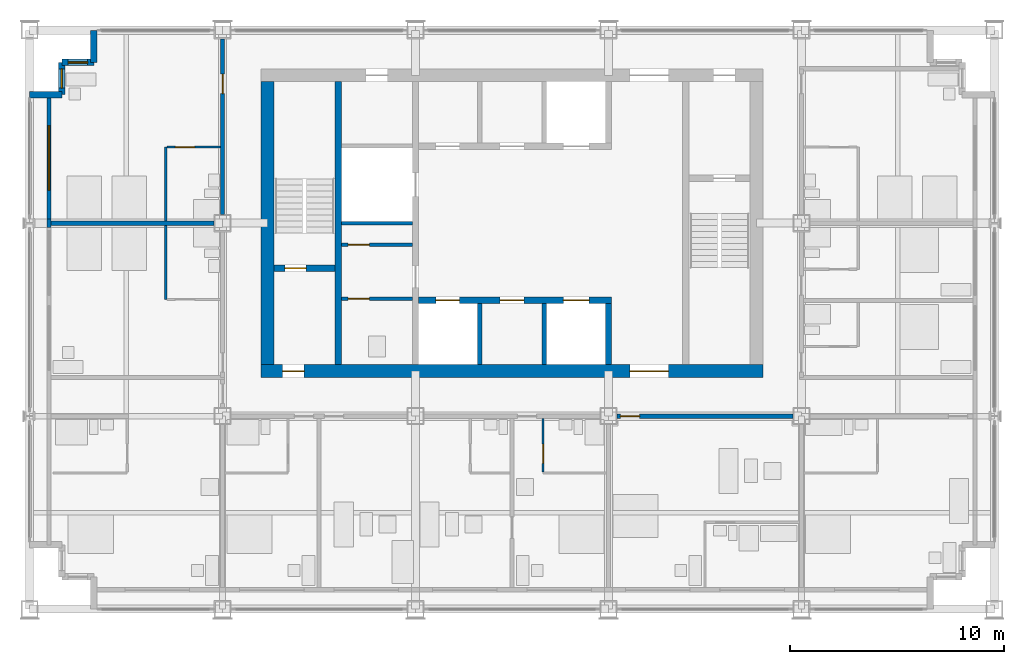
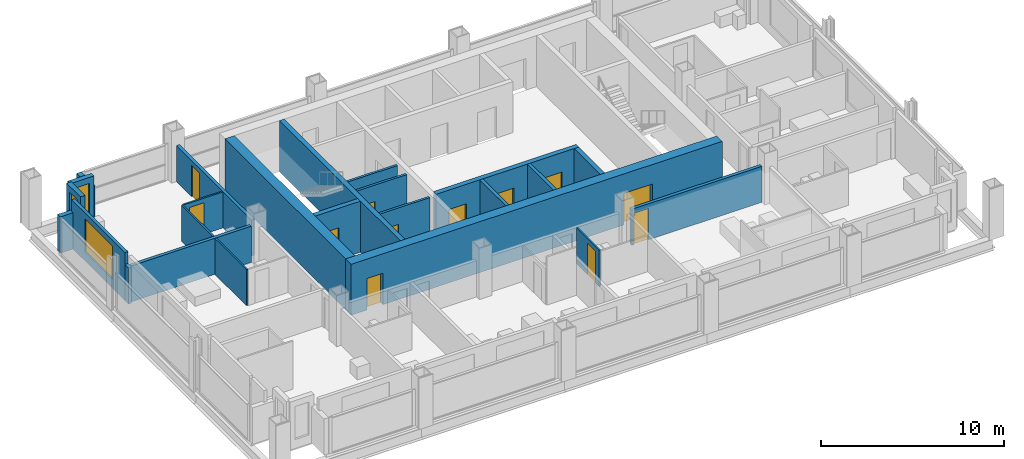
# One storey, part 8 of 13: 24 walls, 12 doors, 3 windows, 15 openings.
"""IFC4 building model written with IfcOpenShell, lengths in metres."""

from ifc_helpers import new_model, si_unit, direction, frame, frame_2d, origin, place, context, subcontext, project, spatial, rectangle, extrude, material, layer, layer_set, type_object, element, fill, save


model = new_model("IFC4")

# Units and contexts
model_context = context("Model", 3, precision=1e-05, world=origin(), true_north=direction((0.0, 1.0)))
body_context = subcontext(model_context, "Body", "Model", "MODEL_VIEW")
ifc_project = project(units=[si_unit("LENGTHUNIT", "METRE"), si_unit("AREAUNIT", "SQUARE_METRE"), si_unit("VOLUMEUNIT", "CUBIC_METRE"), si_unit("PLANEANGLEUNIT", "RADIAN"), si_unit("MASSUNIT", "GRAM", prefix="KILO")], contexts=[model_context])

# Site, building, storey
site_placement = place(None, origin())
site = spatial("IfcSite", under=ifc_project, at=site_placement, CompositionType="ELEMENT")
building_placement = place(site_placement, origin())
building = spatial("IfcBuilding", under=site, at=building_placement, Name="Loomwork Tower", CompositionType="ELEMENT")
storey_placement = place(building_placement, frame((0.0, 0.0, 194.39990234375)))
storey = spatial("IfcBuildingStorey", under=building, at=storey_placement, Name="L53", CompositionType="ELEMENT", Elevation=194.39990234375)

# Wall
ifc_material_1 = material(Name="Concrete 14000 psi (97 MPa)", Category="concrete")
ifc_layer_1 = layer(ifc_material_1, 0.300048828125)
ifc_layer_set_1 = layer_set([ifc_layer_1], Name="Core shear wall 300")
wall_type_1 = type_object("IfcWallType", Name="Core shear wall 300", PredefinedType="SHEAR", material=ifc_layer_set_1)
wall_1_placement = place(storey_placement, frame((14.39990234375, 11.39990234375, 0.0), z_axis=(0.0, 0.0, 1.0), x_axis=(0.0, 1.0, 0.0)))
element("IfcWall", 1, at=wall_1_placement, inside=storey, type_object=wall_type_1, Name="Stair A east wall L53", PredefinedType="SHEAR", context=body_context, shape_type="SweptSolid", body=[
    extrude(rectangle(XDim=13.2001953125, YDim=0.300048828125, at=frame_2d((6.60009765625, 0.0))), origin(), (0.0, 0.0, 1.0), 3.400146484375),
])

# Wall, opening, door
wall_2_placement = place(storey_placement, frame((11.39990234375, 15.89990234375, 0.0), z_axis=(0.0, 0.0, 1.0), x_axis=(1.0, 0.0, 0.0)))
wall_2 = element("IfcWall", 2, at=wall_2_placement, inside=storey, type_object=wall_type_1, Name="Stair A south wall L53", PredefinedType="SHEAR", context=body_context, shape_type="SweptSolid", body=[
    extrude(rectangle(XDim=2.85009765625, YDim=0.300048828125, at=frame_2d((1.425048828125, 0.0))), origin(), (0.0, 0.0, 1.0), 3.400146484375),
])
opening_1_placement = place(wall_2_placement, frame((0.5, 0.0, 0.0)))
opening_1 = element("IfcOpeningElement", 3, at=opening_1_placement, cuts=wall_2, Name="Opening D4", PredefinedType="OPENING", context=body_context, shape_type="SweptSolid", body=[
    extrude(rectangle(XDim=1.0, YDim=2.10009765625, at=frame_2d((0.5, 1.050048828125))), frame((0.0, 0.159912109375, 0.0), z_axis=(0.0, -1.0, 0.0), x_axis=(1.0, 0.0, 0.0)), (0.0, 0.0, 1.0), 0.320068359375),
])
ifc_material_2 = material(Name="Hollow metal door and frame")
door_type_1 = type_object("IfcDoorType", Name="Stair door 1000", OperationType="SINGLE_SWING_RIGHT", PredefinedType="DOOR", material=ifc_material_2)
door_1_placement = place(opening_1_placement, origin())
door_1 = element("IfcDoor", 4, at=door_1_placement, inside=storey, type_object=door_type_1, Name="Stair A door", OperationType="SINGLE_SWING_LEFT", OverallHeight=2.10009765625, OverallWidth=1.0, PredefinedType="DOOR", context=body_context, shape_type="SweptSolid", body=[
    extrude(rectangle(XDim=1.0, YDim=2.10009765625, at=frame_2d((0.5, 1.050048828125))), frame((0.0, 0.02490234375, 0.0), z_axis=(0.0, -1.0, 0.0), x_axis=(1.0, 0.0, 0.0)), (0.0, 0.0, 1.0), 0.050048828125),
])
fill(opening_1, door_1)

# Wall, openings, doors
wall_3_placement = place(storey_placement, frame((18.14990234375, 14.39990234375, 0.0), z_axis=(0.0, 0.0, 1.0), x_axis=(1.0, 0.0, 0.0)))
wall_3 = element("IfcWall", 5, at=wall_3_placement, inside=storey, type_object=wall_type_1, Name="Lift front wall south L53", PredefinedType="SHEAR", context=body_context, shape_type="SweptSolid", body=[
    extrude(rectangle(XDim=9.0, YDim=0.300048828125, at=frame_2d((4.5, 0.0))), origin(), (0.0, 0.0, 1.0), 3.400146484375),
])
opening_2_placement = place(wall_3_placement, frame((0.800048828125, 0.0, 0.0)))
opening_2 = element("IfcOpeningElement", 6, at=opening_2_placement, cuts=wall_3, Name="Opening LD1", PredefinedType="OPENING", context=body_context, shape_type="SweptSolid", body=[
    extrude(rectangle(XDim=1.10009765625, YDim=2.10009765625, at=frame_2d((0.550048828125, 1.050048828125))), frame((0.0, 0.159912109375, 0.0), z_axis=(0.0, -1.0, 0.0), x_axis=(1.0, 0.0, 0.0)), (0.0, 0.0, 1.0), 0.320068359375),
])
opening_3_placement = place(wall_3_placement, frame((6.75, 0.0, 0.0)))
opening_3 = element("IfcOpeningElement", 7, at=opening_3_placement, cuts=wall_3, Name="Opening LD2", PredefinedType="OPENING", context=body_context, shape_type="SweptSolid", body=[
    extrude(rectangle(XDim=1.199951171875, YDim=2.10009765625, at=frame_2d((0.60009765625, 1.050048828125))), frame((0.0, 0.159912109375, 0.0), z_axis=(0.0, -1.0, 0.0), x_axis=(1.0, 0.0, 0.0)), (0.0, 0.0, 1.0), 0.320068359375),
])
opening_4_placement = place(wall_3_placement, frame((3.800048828125, 0.0, 0.0)))
opening_4 = element("IfcOpeningElement", 8, at=opening_4_placement, cuts=wall_3, Name="Opening D17", PredefinedType="OPENING", context=body_context, shape_type="SweptSolid", body=[
    extrude(rectangle(XDim=1.10009765625, YDim=2.10009765625, at=frame_2d((0.550048828125, 1.050048828125))), frame((0.0, 0.159912109375, 0.0), z_axis=(0.0, -1.0, 0.0), x_axis=(1.0, 0.0, 0.0)), (0.0, 0.0, 1.0), 0.320068359375),
])
ifc_material_3 = material(Name="Hollow metal door and frame")
door_type_2 = type_object("IfcDoorType", Name="Lift landing door 1100", OperationType="SLIDING_TO_LEFT", PredefinedType="DOOR", material=ifc_material_3)
door_2_placement = place(opening_2_placement, origin())
door_2 = element("IfcDoor", 9, at=door_2_placement, inside=storey, type_object=door_type_2, Name="Lift landing door LC1", OperationType="SLIDING_TO_LEFT", OverallHeight=2.10009765625, OverallWidth=1.10009765625, PredefinedType="DOOR", context=body_context, shape_type="SweptSolid", body=[
    extrude(rectangle(XDim=1.10009765625, YDim=2.10009765625, at=frame_2d((0.550048828125, 1.050048828125))), frame((0.0, 0.02490234375, 0.0), z_axis=(0.0, -1.0, 0.0), x_axis=(1.0, 0.0, 0.0)), (0.0, 0.0, 1.0), 0.050048828125),
])
fill(opening_2, door_2)
ifc_material_4 = material(Name="Hollow metal door and frame")
door_type_3 = type_object("IfcDoorType", Name="Lift landing door 1200", OperationType="SLIDING_TO_LEFT", PredefinedType="DOOR", material=ifc_material_4)
door_3_placement = place(opening_3_placement, origin())
door_3 = element("IfcDoor", 10, at=door_3_placement, inside=storey, type_object=door_type_3, Name="Lift landing door LF1", OperationType="SLIDING_TO_LEFT", OverallHeight=2.10009765625, OverallWidth=1.199951171875, PredefinedType="DOOR", context=body_context, shape_type="SweptSolid", body=[
    extrude(rectangle(XDim=1.199951171875, YDim=2.10009765625, at=frame_2d((0.60009765625, 1.050048828125))), frame((0.0, 0.02490234375, 0.0), z_axis=(0.0, -1.0, 0.0), x_axis=(1.0, 0.0, 0.0)), (0.0, 0.0, 1.0), 0.050048828125),
])
fill(opening_3, door_3)
ifc_material_5 = material(Name="Hollow metal door and frame")
door_type_4 = type_object("IfcDoorType", Name="Service room door 1100", OperationType="SINGLE_SWING_LEFT", PredefinedType="DOOR", material=ifc_material_5)
door_4_placement = place(opening_4_placement, frame((1.10009765625, 0.0, 0.0), z_axis=(0.0, 0.0, 1.0), x_axis=(-1.0, 0.0, 0.0)))
door_4 = element("IfcDoor", 11, at=door_4_placement, inside=storey, type_object=door_type_4, Name="Housekeeping store door L53", OperationType="SINGLE_SWING_RIGHT", OverallHeight=2.10009765625, OverallWidth=1.10009765625, PredefinedType="DOOR", context=body_context, shape_type="SweptSolid", body=[
    extrude(rectangle(XDim=1.10009765625, YDim=2.10009765625, at=frame_2d((0.550048828125, 1.050048828125))), frame((0.0, 0.02490234375, 0.0), z_axis=(0.0, -1.0, 0.0), x_axis=(1.0, 0.0, 0.0)), (0.0, 0.0, 1.0), 0.050048828125),
])
fill(opening_4, door_4)

# Wall
wall_4_placement = place(storey_placement, frame((27.0, 11.39990234375, 0.0), z_axis=(0.0, 0.0, 1.0), x_axis=(0.0, 1.0, 0.0)))
element("IfcWall", 12, at=wall_4_placement, inside=storey, type_object=wall_type_1, Name="Lift shaft end wall south L53", PredefinedType="SHEAR", context=body_context, shape_type="SweptSolid", body=[
    extrude(rectangle(XDim=2.85009765625, YDim=0.300048828125, at=frame_2d((1.425048828125, 0.0))), origin(), (0.0, 0.0, 1.0), 3.400146484375),
])

# Wall, openings, doors
ifc_material_6 = material(Name="Concrete 14000 psi (97 MPa)", Category="concrete")
ifc_layer_2 = layer(ifc_material_6, 0.60009765625)
ifc_layer_set_2 = layer_set([ifc_layer_2], Name="Core shear wall 600")
wall_type_2 = type_object("IfcWallType", Name="Core shear wall 600", PredefinedType="SHEAR", material=ifc_layer_set_2)
wall_5_placement = place(storey_placement, frame((10.800048828125, 11.10009765625, 0.0), z_axis=(0.0, 0.0, 1.0), x_axis=(1.0, 0.0, 0.0)))
wall_5 = element("IfcWall", 13, at=wall_5_placement, inside=storey, type_object=wall_type_2, Name="Core wall south L53", PredefinedType="SHEAR", context=body_context, shape_type="SweptSolid", body=[
    extrude(rectangle(XDim=23.39990234375, YDim=0.60009765625, at=frame_2d((11.699951171875, 0.0))), origin(), (0.0, 0.0, 1.0), 3.400146484375),
])
opening_5_placement = place(wall_5_placement, frame((1.0, 0.0, 0.0)))
opening_5 = element("IfcOpeningElement", 14, at=opening_5_placement, cuts=wall_5, Name="Opening D4", PredefinedType="OPENING", context=body_context, shape_type="SweptSolid", body=[
    extrude(rectangle(XDim=1.0, YDim=2.10009765625, at=frame_2d((0.5, 1.050048828125))), frame((0.0, 0.31005859375, 0.0), z_axis=(0.0, -1.0, 0.0), x_axis=(1.0, 0.0, 0.0)), (0.0, 0.0, 1.0), 0.6201171875),
])
opening_6_placement = place(wall_5_placement, frame((17.199951171875, 0.0, 0.0)))
opening_6 = element("IfcOpeningElement", 15, at=opening_6_placement, cuts=wall_5, Name="Opening D6", PredefinedType="OPENING", context=body_context, shape_type="SweptSolid", body=[
    extrude(rectangle(XDim=1.800048828125, YDim=2.10009765625, at=frame_2d((0.89990234375, 1.050048828125))), frame((0.0, 0.31005859375, 0.0), z_axis=(0.0, -1.0, 0.0), x_axis=(1.0, 0.0, 0.0)), (0.0, 0.0, 1.0), 0.6201171875),
])
ifc_material_7 = material(Name="Hollow metal door and frame")
door_type_5 = type_object("IfcDoorType", Name="Lobby passage double door 1800", OperationType="DOUBLE_DOOR_SINGLE_SWING", PredefinedType="DOOR", material=ifc_material_7)
door_5_placement = place(opening_6_placement, origin())
door_5 = element("IfcDoor", 16, at=door_5_placement, inside=storey, type_object=door_type_5, Name="Lobby passage door south", OperationType="DOUBLE_DOOR_SINGLE_SWING", OverallHeight=2.10009765625, OverallWidth=1.800048828125, PredefinedType="DOOR", context=body_context, shape_type="SweptSolid", body=[
    extrude(rectangle(XDim=1.800048828125, YDim=2.10009765625, at=frame_2d((0.89990234375, 1.050048828125))), frame((0.0, 0.02490234375, 0.0), z_axis=(0.0, -1.0, 0.0), x_axis=(1.0, 0.0, 0.0)), (0.0, 0.0, 1.0), 0.050048828125),
])
fill(opening_6, door_5)
door_6_placement = place(opening_5_placement, origin())
door_6 = element("IfcDoor", 17, at=door_6_placement, inside=storey, type_object=door_type_1, Name="Stair A vestibule door", OperationType="SINGLE_SWING_LEFT", OverallHeight=2.10009765625, OverallWidth=1.0, PredefinedType="DOOR", context=body_context, shape_type="SweptSolid", body=[
    extrude(rectangle(XDim=1.0, YDim=2.10009765625, at=frame_2d((0.5, 1.050048828125))), frame((0.0, 0.02490234375, 0.0), z_axis=(0.0, -1.0, 0.0), x_axis=(1.0, 0.0, 0.0)), (0.0, 0.0, 1.0), 0.050048828125),
])
fill(opening_5, door_6)

# Wall
wall_6_placement = place(storey_placement, frame((11.10009765625, 11.39990234375, 0.0), z_axis=(0.0, 0.0, 1.0), x_axis=(0.0, 1.0, 0.0)))
element("IfcWall", 18, at=wall_6_placement, inside=storey, type_object=wall_type_2, Name="Core wall west L53", PredefinedType="SHEAR", context=body_context, shape_type="SweptSolid", body=[
    extrude(rectangle(XDim=13.2001953125, YDim=0.60009765625, at=frame_2d((6.60009765625, 0.0))), origin(), (0.0, 0.0, 1.0), 3.400146484375),
])

# Wall, opening, door
ifc_material_8 = material(Name="Gypsum board on steel studs, one-hour", Category="steel")
ifc_layer_3 = layer(ifc_material_8, 0.199951171875)
ifc_layer_set_3 = layer_set([ifc_layer_3], Name="Corridor wall 200")
wall_type_3 = type_object("IfcWallType", Name="Corridor wall 200", PredefinedType="PARTITIONING", material=ifc_layer_set_3)
wall_7_placement = place(storey_placement, frame((27.39990234375, 9.0, 0.0), z_axis=(0.0, 0.0, 1.0), x_axis=(1.0, 0.0, 0.0)))
wall_7 = element("IfcWall", 19, at=wall_7_placement, inside=storey, type_object=wall_type_3, Name="South corridor wall 4", PredefinedType="PARTITIONING", context=body_context, shape_type="SweptSolid", body=[
    extrude(rectangle(XDim=8.2001953125, YDim=0.199951171875, at=frame_2d((4.10009765625, 0.0))), origin(), (0.0, 0.0, 1.0), 2.405029296875),
])
opening_7_placement = place(wall_7_placement, frame((0.14990234375, 0.0, 0.0)))
opening_7 = element("IfcOpeningElement", 20, at=opening_7_placement, cuts=wall_7, Name="Opening D1", PredefinedType="OPENING", context=body_context, shape_type="SweptSolid", body=[
    extrude(rectangle(XDim=0.89990234375, YDim=2.10009765625, at=frame_2d((0.449951171875, 1.050048828125))), frame((0.0, 0.10986328125, 0.0), z_axis=(0.0, -1.0, 0.0), x_axis=(1.0, 0.0, 0.0)), (0.0, 0.0, 1.0), 0.219970703125),
])
ifc_material_9 = material(Name="Hollow metal door and frame")
door_type_6 = type_object("IfcDoorType", Name="Guest room entry door 900", OperationType="SINGLE_SWING_LEFT", PredefinedType="DOOR", material=ifc_material_9)
door_7_placement = place(opening_7_placement, frame((0.89990234375, 0.0, 0.0), z_axis=(0.0, 0.0, 1.0), x_axis=(-1.0, 0.0, 0.0)))
door_7 = element("IfcDoor", 21, at=door_7_placement, inside=storey, type_object=door_type_6, Name="Guest room entry door L53 5", OperationType="SINGLE_SWING_RIGHT", OverallHeight=2.10009765625, OverallWidth=0.89990234375, PredefinedType="DOOR", context=body_context, shape_type="SweptSolid", body=[
    extrude(rectangle(XDim=0.89990234375, YDim=2.10009765625, at=frame_2d((0.449951171875, 1.050048828125))), frame((0.0, 0.02490234375, 0.0), z_axis=(0.0, -1.0, 0.0), x_axis=(1.0, 0.0, 0.0)), (0.0, 0.0, 1.0), 0.050048828125),
])
fill(opening_7, door_7)

wall_8_placement = place(storey_placement, frame((9.0, 18.39990234375, 0.0), z_axis=(0.0, 0.0, 1.0), x_axis=(0.0, 1.0, 0.0)))
wall_8 = element("IfcWall", 22, at=wall_8_placement, inside=storey, type_object=wall_type_3, Name="West corridor wall 2", PredefinedType="PARTITIONING", context=body_context, shape_type="SweptSolid", body=[
    extrude(rectangle(XDim=8.2001953125, YDim=0.199951171875, at=frame_2d((4.10009765625, 0.0))), origin(), (0.0, 0.0, 1.0), 2.405029296875),
])
opening_8_placement = place(wall_8_placement, frame((5.64990234375, 0.0, 0.0)))
opening_8 = element("IfcOpeningElement", 23, at=opening_8_placement, cuts=wall_8, Name="Opening D1", PredefinedType="OPENING", context=body_context, shape_type="SweptSolid", body=[
    extrude(rectangle(XDim=0.89990234375, YDim=2.10009765625, at=frame_2d((0.449951171875, 1.050048828125))), frame((0.0, 0.10986328125, 0.0), z_axis=(0.0, -1.0, 0.0), x_axis=(1.0, 0.0, 0.0)), (0.0, 0.0, 1.0), 0.219970703125),
])
door_8_placement = place(opening_8_placement, origin())
door_8 = element("IfcDoor", 24, at=door_8_placement, inside=storey, type_object=door_type_6, Name="Guest room entry door L53 8", OperationType="SINGLE_SWING_RIGHT", OverallHeight=2.10009765625, OverallWidth=0.89990234375, PredefinedType="DOOR", context=body_context, shape_type="SweptSolid", body=[
    extrude(rectangle(XDim=0.89990234375, YDim=2.10009765625, at=frame_2d((0.449951171875, 1.050048828125))), frame((0.0, 0.02490234375, 0.0), z_axis=(0.0, -1.0, 0.0), x_axis=(1.0, 0.0, 0.0)), (0.0, 0.0, 1.0), 0.050048828125),
])
fill(opening_8, door_8)

ifc_material_10 = material(Name="Cement board on steel studs", Category="steel")
ifc_layer_4 = layer(ifc_material_10, 0.10009765625)
ifc_layer_set_4 = layer_set([ifc_layer_4], Name="En-suite partition 100")
wall_type_4 = type_object("IfcWallType", Name="En-suite partition 100", PredefinedType="PARTITIONING", material=ifc_layer_set_4)
wall_9_placement = place(storey_placement, frame((23.949951171875, 8.89990234375, 0.0), z_axis=(0.0, 0.0, 1.0), x_axis=(0.0, -1.0, 0.0)))
wall_9 = element("IfcWall", 25, at=wall_9_placement, inside=storey, type_object=wall_type_4, Name="En-suite side wall L53 room 4", PredefinedType="PARTITIONING", context=body_context, shape_type="SweptSolid", body=[
    extrude(rectangle(XDim=2.5, YDim=0.10009765625, at=frame_2d((1.25, 0.0))), origin(), (0.0, 0.0, 1.0), 2.404052734375),
])
opening_9_placement = place(wall_9_placement, frame((1.199951171875, 0.0, 0.0)))
opening_9 = element("IfcOpeningElement", 26, at=opening_9_placement, cuts=wall_9, Name="Opening D2", PredefinedType="OPENING", context=body_context, shape_type="SweptSolid", body=[
    extrude(rectangle(XDim=0.89990234375, YDim=2.10009765625, at=frame_2d((0.449951171875, 1.050048828125))), frame((0.0, 0.06005859375, 0.0), z_axis=(0.0, -1.0, 0.0), x_axis=(1.0, 0.0, 0.0)), (0.0, 0.0, 1.0), 0.1201171875),
])
ifc_material_11 = material(Name="Hollow metal door and frame")
door_type_7 = type_object("IfcDoorType", Name="En-suite door 900", OperationType="SINGLE_SWING_LEFT", PredefinedType="DOOR", material=ifc_material_11)
door_9_placement = place(opening_9_placement, origin())
door_9 = element("IfcDoor", 27, at=door_9_placement, inside=storey, type_object=door_type_7, Name="En-suite door room 4", OperationType="SINGLE_SWING_RIGHT", OverallHeight=2.10009765625, OverallWidth=0.89990234375, PredefinedType="DOOR", context=body_context, shape_type="SweptSolid", body=[
    extrude(rectangle(XDim=0.89990234375, YDim=2.10009765625, at=frame_2d((0.449951171875, 1.050048828125))), frame((0.0, 0.02490234375, 0.0), z_axis=(0.0, -1.0, 0.0), x_axis=(1.0, 0.0, 0.0)), (0.0, 0.0, 1.0), 0.050048828125),
])
fill(opening_9, door_9)

# Walls
for number, where, z_axis, x_axis, name in (
    (28, (6.35009765625, 14.449951171875, 0.0), (0.0, 0.0, 1.0), (0.0, 1.0, 0.0), "En-suite wall L53 room 7"),
    (29, (6.35009765625, 18.10009765625, 0.0), (0.0, 0.0, 1.0), (0.0, 1.0, 0.0), "En-suite wall L53 room 8"),
):
    element("IfcWall", number, at=place(storey_placement, frame(where, z_axis=z_axis, x_axis=x_axis)), inside=storey, type_object=wall_type_4, Name=name, PredefinedType="PARTITIONING", context=body_context, shape_type="SweptSolid", body=[
        extrude(rectangle(XDim=3.449951171875, YDim=0.10009765625, at=frame_2d((1.72509765625, 0.0))), origin(), (0.0, 0.0, 1.0), 2.404052734375),
    ])

# Wall, opening, door
wall_10_placement = place(storey_placement, frame((8.89990234375, 21.550048828125, 0.0), z_axis=(0.0, 0.0, 1.0), x_axis=(-1.0, 0.0, 0.0)))
wall_10 = element("IfcWall", 30, at=wall_10_placement, inside=storey, type_object=wall_type_4, Name="En-suite side wall L53 room 8", PredefinedType="PARTITIONING", context=body_context, shape_type="SweptSolid", body=[
    extrude(rectangle(XDim=2.5, YDim=0.10009765625, at=frame_2d((1.25, 0.0))), origin(), (0.0, 0.0, 1.0), 2.404052734375),
])
opening_10_placement = place(wall_10_placement, frame((1.199951171875, 0.0, 0.0)))
opening_10 = element("IfcOpeningElement", 31, at=opening_10_placement, cuts=wall_10, Name="Opening D2", PredefinedType="OPENING", context=body_context, shape_type="SweptSolid", body=[
    extrude(rectangle(XDim=0.89990234375, YDim=2.10009765625, at=frame_2d((0.449951171875, 1.050048828125))), frame((0.0, 0.06005859375, 0.0), z_axis=(0.0, -1.0, 0.0), x_axis=(1.0, 0.0, 0.0)), (0.0, 0.0, 1.0), 0.1201171875),
])
door_10_placement = place(opening_10_placement, origin())
door_10 = element("IfcDoor", 32, at=door_10_placement, inside=storey, type_object=door_type_7, Name="En-suite door room 8", OperationType="SINGLE_SWING_RIGHT", OverallHeight=2.10009765625, OverallWidth=0.89990234375, PredefinedType="DOOR", context=body_context, shape_type="SweptSolid", body=[
    extrude(rectangle(XDim=0.89990234375, YDim=2.10009765625, at=frame_2d((0.449951171875, 1.050048828125))), frame((0.0, 0.02490234375, 0.0), z_axis=(0.0, -1.0, 0.0), x_axis=(1.0, 0.0, 0.0)), (0.0, 0.0, 1.0), 0.050048828125),
])
fill(opening_10, door_10)

# Walls
ifc_material_12 = material(Name="Gypsum board on steel studs, acoustic", Category="steel")
ifc_layer_5 = layer(ifc_material_12, 0.199951171875)
ifc_layer_set_5 = layer_set([ifc_layer_5], Name="Guest room party wall 200")
wall_type_5 = type_object("IfcWallType", Name="Guest room party wall 200", PredefinedType="PARTITIONING", material=ifc_layer_set_5)
wall_11_placement = place(storey_placement, frame((8.60009765625, 18.0, 0.0), z_axis=(0.0, 0.0, 1.0), x_axis=(-1.0, 0.0, 0.0)))
element("IfcWall", 33, at=wall_11_placement, inside=storey, type_object=wall_type_5, Name="Guest room party wall W 18", PredefinedType="PARTITIONING", context=body_context, shape_type="SweptSolid", body=[
    extrude(rectangle(XDim=7.60009765625, YDim=0.199951171875, at=frame_2d((3.800048828125, 0.0))), origin(), (0.0, 0.0, 1.0), 2.405029296875),
])
ifc_material_13 = material(Name="Insulated steel stud wall with gypsum lining", Category="steel")
ifc_layer_6 = layer(ifc_material_13, 0.199951171875)
ifc_layer_set_6 = layer_set([ifc_layer_6], Name="Inner skin wall 200")
wall_type_6 = type_object("IfcWallType", Name="Inner skin wall 200", PredefinedType="SOLIDWALL", material=ifc_layer_set_6)
wall_12_placement = place(storey_placement, frame((0.89990234375, 17.80615234375, 0.0), z_axis=(0.0, 0.0, 1.0), x_axis=(0.0, 1.0, 0.0)))
element("IfcWall", 34, at=wall_12_placement, inside=storey, type_object=wall_type_6, Name="Inner skin wall W bay 6", PredefinedType="SOLIDWALL", context=body_context, shape_type="SweptSolid", body=[
    extrude(rectangle(XDim=0.3876953125, YDim=0.199951171875, at=frame_2d((0.19384765625, 0.0))), origin(), (0.0, 0.0, 1.0), 2.404052734375),
])

# Wall, opening, window
wall_13_placement = place(storey_placement, frame((0.89990234375, 18.19384765625, 0.0), z_axis=(0.0, 0.0, 1.0), x_axis=(0.0, 1.0, 0.0)))
wall_13 = element("IfcWall", 35, at=wall_13_placement, inside=storey, type_object=wall_type_6, Name="Inner skin wall W bay 7", PredefinedType="SOLIDWALL", context=body_context, shape_type="SweptSolid", body=[
    extrude(rectangle(XDim=5.80615234375, YDim=0.199951171875, at=frame_2d((2.903076171875, 0.0))), origin(), (0.0, 0.0, 1.0), 3.2001953125),
])
opening_11_placement = place(wall_13_placement, frame((1.356201171875, 0.0, 0.60009765625)))
opening_11 = element("IfcOpeningElement", 36, at=opening_11_placement, cuts=wall_13, Name="Opening CH1", PredefinedType="OPENING", context=body_context, shape_type="SweptSolid", body=[
    extrude(rectangle(XDim=3.0, YDim=2.199951171875, at=frame_2d((1.5, 1.10009765625))), frame((0.0, 0.10986328125, 0.0), z_axis=(0.0, -1.0, 0.0), x_axis=(1.0, 0.0, 0.0)), (0.0, 0.0, 1.0), 0.219970703125),
])
ifc_material_14 = material(Name="Aluminium frame with clear insulated glass", Category="aluminium")
window_type_1 = type_object("IfcWindowType", Name="Chicago window 3000", PartitioningType="TRIPLE_PANEL_VERTICAL", PredefinedType="WINDOW", material=ifc_material_14)
window_1_placement = place(opening_11_placement, origin())
window_1 = element("IfcWindow", 37, at=window_1_placement, inside=storey, type_object=window_type_1, Name="Chicago window L53 bay 7", OverallHeight=2.199951171875, OverallWidth=3.0, PartitioningType="TRIPLE_PANEL_VERTICAL", PredefinedType="WINDOW", context=body_context, shape_type="SweptSolid", body=[
    extrude(rectangle(XDim=3.0, YDim=2.199951171875, at=frame_2d((1.5, 1.10009765625))), frame((0.0, 0.030029296875, 0.0), z_axis=(0.0, -1.0, 0.0), x_axis=(1.0, 0.0, 0.0)), (0.0, 0.0, 1.0), 0.06005859375),
])
fill(opening_11, window_1)

# Walls
ifc_material_15 = material(Name="Concrete 14000 psi (97 MPa)", Category="concrete")
ifc_layer_7 = layer(ifc_material_15, 0.199951171875)
ifc_layer_set_7 = layer_set([ifc_layer_7], Name="Lift shaft wall 200")
wall_type_7 = type_object("IfcWallType", Name="Lift shaft wall 200", PredefinedType="SHEAR", material=ifc_layer_set_7)
for number, where, z_axis, x_axis, name in (
    (38, (21.0, 11.39990234375, 0.0), (0.0, 0.0, 1.0), (0.0, 1.0, 0.0), "Lift shaft separation wall south 1 L53"),
    (39, (24.0, 11.39990234375, 0.0), (0.0, 0.0, 1.0), (0.0, 1.0, 0.0), "Lift shaft separation wall south 2 L53"),
):
    element("IfcWall", number, at=place(storey_placement, frame(where, z_axis=z_axis, x_axis=x_axis)), inside=storey, type_object=wall_type_7, Name=name, PredefinedType="SHEAR", context=body_context, shape_type="SweptSolid", body=[
        extrude(rectangle(XDim=2.85009765625, YDim=0.199951171875, at=frame_2d((1.425048828125, 0.0))), origin(), (0.0, 0.0, 1.0), 3.400146484375),
    ])
ifc_material_16 = material(Name="Limestone on concrete masonry", Category="masonry")
ifc_layer_8 = layer(ifc_material_16, 0.300048828125)
ifc_layer_set_8 = layer_set([ifc_layer_8], Name="Limestone corner wall 300")
wall_type_8 = type_object("IfcWallType", Name="Limestone corner wall 300", PredefinedType="SOLIDWALL", material=ifc_layer_set_8)
wall_14_placement = place(storey_placement, frame((3.0, 27.0, 0.0), z_axis=(0.0, 0.0, 1.0), x_axis=(0.0, -1.0, 0.0)))
element("IfcWall", 40, at=wall_14_placement, inside=storey, type_object=wall_type_8, Name="Stone corner wall NW 1", PredefinedType="SOLIDWALL", context=body_context, shape_type="SweptSolid", body=[
    extrude(rectangle(XDim=1.5, YDim=0.300048828125, at=frame_2d((0.75, 0.0))), origin(), (0.0, 0.0, 1.0), 2.420166015625),
])

# Wall, opening, window
wall_15_placement = place(storey_placement, frame((3.0, 25.5, 0.0), z_axis=(0.0, 0.0, 1.0), x_axis=(-1.0, 0.0, 0.0)))
wall_15 = element("IfcWall", 41, at=wall_15_placement, inside=storey, type_object=wall_type_8, Name="Stone corner wall NW 2", PredefinedType="SOLIDWALL", context=body_context, shape_type="SweptSolid", body=[
    extrude(rectangle(XDim=1.5, YDim=0.300048828125, at=frame_2d((0.75, 0.0))), origin(), (0.0, 0.0, 1.0), 3.2001953125),
])
opening_12_placement = place(wall_15_placement, frame((0.300048828125, 0.0, 0.60009765625)))
opening_12 = element("IfcOpeningElement", 42, at=opening_12_placement, cuts=wall_15, Name="Opening CH2", PredefinedType="OPENING", context=body_context, shape_type="SweptSolid", body=[
    extrude(rectangle(XDim=0.89990234375, YDim=2.199951171875, at=frame_2d((0.449951171875, 1.10009765625))), frame((0.0, 0.159912109375, 0.0), z_axis=(0.0, -1.0, 0.0), x_axis=(1.0, 0.0, 0.0)), (0.0, 0.0, 1.0), 0.320068359375),
])
ifc_material_17 = material(Name="Aluminium frame with clear insulated glass", Category="aluminium")
window_type_2 = type_object("IfcWindowType", Name="Corner window 900", PartitioningType="SINGLE_PANEL", PredefinedType="WINDOW", material=ifc_material_17)
window_2_placement = place(opening_12_placement, origin())
window_2 = element("IfcWindow", 43, at=window_2_placement, inside=storey, type_object=window_type_2, Name="Corner window NW", OverallHeight=2.199951171875, OverallWidth=0.89990234375, PartitioningType="SINGLE_PANEL", PredefinedType="WINDOW", context=body_context, shape_type="SweptSolid", body=[
    extrude(rectangle(XDim=0.89990234375, YDim=2.199951171875, at=frame_2d((0.449951171875, 1.10009765625))), frame((0.0, 0.030029296875, 0.0), z_axis=(0.0, -1.0, 0.0), x_axis=(1.0, 0.0, 0.0)), (0.0, 0.0, 1.0), 0.06005859375),
])
fill(opening_12, window_2)

wall_16_placement = place(storey_placement, frame((1.5, 25.5, 0.0), z_axis=(0.0, 0.0, 1.0), x_axis=(0.0, -1.0, 0.0)))
wall_16 = element("IfcWall", 44, at=wall_16_placement, inside=storey, type_object=wall_type_8, Name="Stone corner wall NW 3", PredefinedType="SOLIDWALL", context=body_context, shape_type="SweptSolid", body=[
    extrude(rectangle(XDim=1.5, YDim=0.300048828125, at=frame_2d((0.75, 0.0))), origin(), (0.0, 0.0, 1.0), 3.2001953125),
])
opening_13_placement = place(wall_16_placement, frame((0.300048828125, 0.0, 0.60009765625)))
opening_13 = element("IfcOpeningElement", 45, at=opening_13_placement, cuts=wall_16, Name="Opening CH2", PredefinedType="OPENING", context=body_context, shape_type="SweptSolid", body=[
    extrude(rectangle(XDim=0.89990234375, YDim=2.199951171875, at=frame_2d((0.449951171875, 1.10009765625))), frame((0.0, 0.159912109375, 0.0), z_axis=(0.0, -1.0, 0.0), x_axis=(1.0, 0.0, 0.0)), (0.0, 0.0, 1.0), 0.320068359375),
])
window_3_placement = place(opening_13_placement, origin())
window_3 = element("IfcWindow", 46, at=window_3_placement, inside=storey, type_object=window_type_2, Name="Corner window NW", OverallHeight=2.199951171875, OverallWidth=0.89990234375, PartitioningType="SINGLE_PANEL", PredefinedType="WINDOW", context=body_context, shape_type="SweptSolid", body=[
    extrude(rectangle(XDim=0.89990234375, YDim=2.199951171875, at=frame_2d((0.449951171875, 1.10009765625))), frame((0.0, 0.030029296875, 0.0), z_axis=(0.0, -1.0, 0.0), x_axis=(1.0, 0.0, 0.0)), (0.0, 0.0, 1.0), 0.06005859375),
])
fill(opening_13, window_3)

# Walls
wall_17_placement = place(storey_placement, frame((1.5, 24.0, 0.0), z_axis=(0.0, 0.0, 1.0), x_axis=(-1.0, 0.0, 0.0)))
element("IfcWall", 47, at=wall_17_placement, inside=storey, type_object=wall_type_8, Name="Stone corner wall NW 4", PredefinedType="SOLIDWALL", context=body_context, shape_type="SweptSolid", body=[
    extrude(rectangle(XDim=1.5, YDim=0.300048828125, at=frame_2d((0.75, 0.0))), origin(), (0.0, 0.0, 1.0), 2.420166015625),
])
ifc_material_18 = material(Name="Gypsum board on steel studs", Category="steel")
ifc_layer_9 = layer(ifc_material_18, 0.14990234375)
ifc_layer_set_9 = layer_set([ifc_layer_9], Name="Partition 150 two-hour")
wall_type_9 = type_object("IfcWallType", Name="Partition 150 two-hour", PredefinedType="PARTITIONING", material=ifc_layer_set_9)
wall_18_placement = place(storey_placement, frame((14.550048828125, 18.0, 0.0), z_axis=(0.0, 0.0, 1.0), x_axis=(1.0, 0.0, 0.0)))
element("IfcWall", 48, at=wall_18_placement, inside=storey, type_object=wall_type_9, Name="Back-of-house dividing wall L53", PredefinedType="PARTITIONING", context=body_context, shape_type="SweptSolid", body=[
    extrude(rectangle(XDim=3.300048828125, YDim=0.14990234375, at=frame_2d((1.64990234375, 0.0))), origin(), (0.0, 0.0, 1.0), 3.2001953125),
])

# Wall, opening, door
ifc_material_19 = material(Name="Gypsum board on steel studs, one-hour", Category="steel")
ifc_layer_10 = layer(ifc_material_19, 0.14990234375)
ifc_layer_set_10 = layer_set([ifc_layer_10], Name="Service partition 150")
wall_type_10 = type_object("IfcWallType", Name="Service partition 150", PredefinedType="PARTITIONING", material=ifc_layer_set_10)
wall_19_placement = place(storey_placement, frame((14.550048828125, 17.0, 0.0), z_axis=(0.0, 0.0, 1.0), x_axis=(1.0, 0.0, 0.0)))
wall_19 = element("IfcWall", 49, at=wall_19_placement, inside=storey, type_object=wall_type_10, Name="Riser enclosure L53", PredefinedType="PARTITIONING", context=body_context, shape_type="SweptSolid", body=[
    extrude(rectangle(XDim=3.300048828125, YDim=0.14990234375, at=frame_2d((1.64990234375, 0.0))), origin(), (0.0, 0.0, 1.0), 3.2001953125),
])
opening_14_placement = place(wall_19_placement, frame((0.300048828125, 0.0, 0.0)))
opening_14 = element("IfcOpeningElement", 50, at=opening_14_placement, cuts=wall_19, Name="Opening D18", PredefinedType="OPENING", context=body_context, shape_type="SweptSolid", body=[
    extrude(rectangle(XDim=1.0, YDim=2.10009765625, at=frame_2d((0.5, 1.050048828125))), frame((0.0, 0.0849609375, 0.0), z_axis=(0.0, -1.0, 0.0), x_axis=(1.0, 0.0, 0.0)), (0.0, 0.0, 1.0), 0.169921875),
])
ifc_material_20 = material(Name="Hollow metal door and frame")
door_type_8 = type_object("IfcDoorType", Name="Ninety-minute service door 1000", OperationType="SINGLE_SWING_LEFT", PredefinedType="DOOR", material=ifc_material_20)
door_11_placement = place(opening_14_placement, frame((1.0, 0.0, 0.0), z_axis=(0.0, 0.0, 1.0), x_axis=(-1.0, 0.0, 0.0)))
door_11 = element("IfcDoor", 51, at=door_11_placement, inside=storey, type_object=door_type_8, Name="Riser access door", OperationType="SINGLE_SWING_RIGHT", OverallHeight=2.10009765625, OverallWidth=1.0, PredefinedType="DOOR", context=body_context, shape_type="SweptSolid", body=[
    extrude(rectangle(XDim=1.0, YDim=2.10009765625, at=frame_2d((0.5, 1.050048828125))), frame((0.0, 0.02490234375, 0.0), z_axis=(0.0, -1.0, 0.0), x_axis=(1.0, 0.0, 0.0)), (0.0, 0.0, 1.0), 0.050048828125),
])
fill(opening_14, door_11)

wall_20_placement = place(storey_placement, frame((14.550048828125, 14.47509765625, 0.0), z_axis=(0.0, 0.0, 1.0), x_axis=(1.0, 0.0, 0.0)))
wall_20 = element("IfcWall", 52, at=wall_20_placement, inside=storey, type_object=wall_type_10, Name="Back-of-house partition L53", PredefinedType="PARTITIONING", context=body_context, shape_type="SweptSolid", body=[
    extrude(rectangle(XDim=3.300048828125, YDim=0.14990234375, at=frame_2d((1.64990234375, 0.0))), origin(), (0.0, 0.0, 1.0), 3.2001953125),
])
opening_15_placement = place(wall_20_placement, frame((0.300048828125, 0.0, 0.0)))
opening_15 = element("IfcOpeningElement", 53, at=opening_15_placement, cuts=wall_20, Name="Opening D5", PredefinedType="OPENING", context=body_context, shape_type="SweptSolid", body=[
    extrude(rectangle(XDim=1.0, YDim=2.10009765625, at=frame_2d((0.5, 1.050048828125))), frame((0.0, 0.0849609375, 0.0), z_axis=(0.0, -1.0, 0.0), x_axis=(1.0, 0.0, 0.0)), (0.0, 0.0, 1.0), 0.169921875),
])
ifc_material_21 = material(Name="Hollow metal door and frame")
door_type_9 = type_object("IfcDoorType", Name="Service door 1000", OperationType="SINGLE_SWING_LEFT", PredefinedType="DOOR", material=ifc_material_21)
door_12_placement = place(opening_15_placement, origin())
door_12 = element("IfcDoor", 54, at=door_12_placement, inside=storey, type_object=door_type_9, Name="Back-of-house room door", OperationType="SINGLE_SWING_LEFT", OverallHeight=2.10009765625, OverallWidth=1.0, PredefinedType="DOOR", context=body_context, shape_type="SweptSolid", body=[
    extrude(rectangle(XDim=1.0, YDim=2.10009765625, at=frame_2d((0.5, 1.050048828125))), frame((0.0, 0.02490234375, 0.0), z_axis=(0.0, -1.0, 0.0), x_axis=(1.0, 0.0, 0.0)), (0.0, 0.0, 1.0), 0.050048828125),
])
fill(opening_15, door_12)

save(model, "model.ifc")
